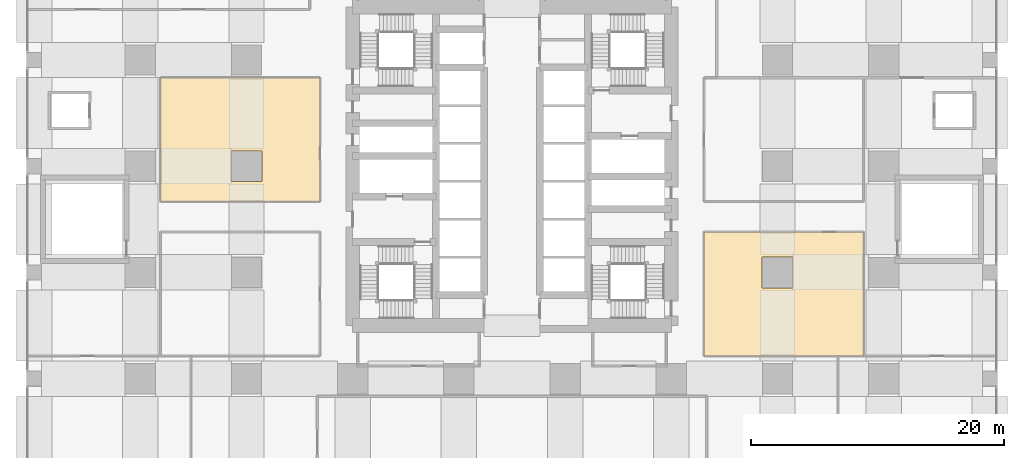
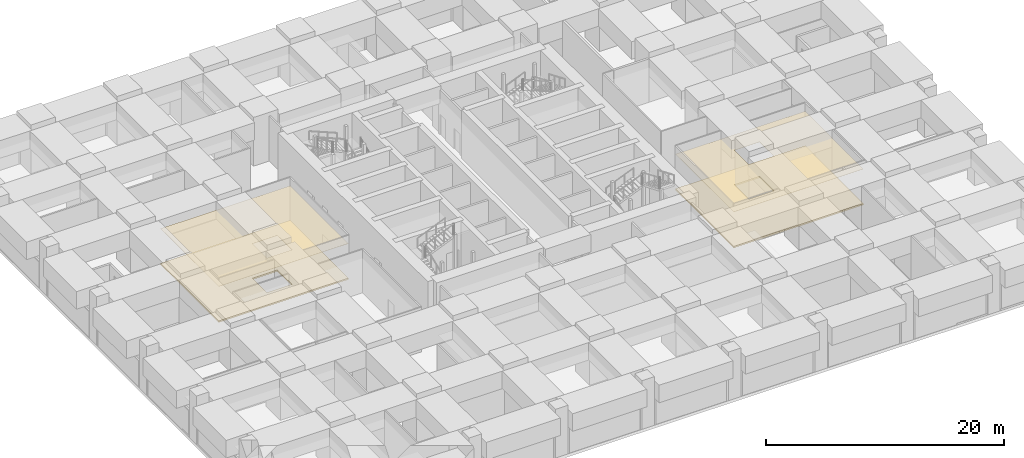
# One storey, part 48 of 52: 4 coverings.
"""IFC4 building model written with IfcOpenShell, lengths in metres."""

from ifc_helpers import new_model, si_unit, direction, frame, origin, place, context, subcontext, project, spatial, polyline, outline, extrude, material, layer, layer_set, type_object, element, save


model = new_model("IFC4")

# Units and contexts
model_context = context("Model", 3, precision=1e-05, world=origin(), true_north=direction((0.0, 1.0)))
body_context = subcontext(model_context, "Body", "Model", "MODEL_VIEW")
ifc_project = project(units=[si_unit("LENGTHUNIT", "METRE"), si_unit("AREAUNIT", "SQUARE_METRE"), si_unit("VOLUMEUNIT", "CUBIC_METRE"), si_unit("PLANEANGLEUNIT", "RADIAN"), si_unit("MASSUNIT", "GRAM", prefix="KILO")], contexts=[model_context])

# Site, building, storey
site_placement = place(None, origin())
site = spatial("IfcSite", under=ifc_project, at=site_placement, CompositionType="ELEMENT")
building_placement = place(site_placement, origin())
building = spatial("IfcBuilding", under=site, at=building_placement, Name="Rekha Terrace Tower", CompositionType="ELEMENT")
storey_placement = place(building_placement, frame((0.0, 0.0, 20.39990234375)))
storey = spatial("IfcBuildingStorey", under=building, at=storey_placement, Name="L04", CompositionType="ELEMENT", Elevation=20.39990234375)

# Coverings
ifc_material_1 = material(Name="Mineral fibre tile in exposed grid", Category="finish")
ifc_layer_1 = layer(ifc_material_1, 0.02001953125)
ifc_layer_set_1 = layer_set([ifc_layer_1], Name="Mineral fibre tile in exposed grid")
covering_type_1 = type_object("IfcCoveringType", Name="CL1 600x1200 office grid ceiling", PredefinedType="CEILING", material=ifc_layer_set_1)
covering_1_placement = place(storey_placement, frame((0.0, 0.0, 3.68017578125)))
element("IfcCovering", 1, at=covering_1_placement, inside=storey, type_object=covering_type_1, Name="Ceiling L04-08", PredefinedType="CEILING", context=body_context, shape_type="SweptSolid", body=[
    extrude(outline(polyline([(22.60009765625, 30.800048828125), (22.60009765625, 40.60009765625), (10.0, 40.60009765625), (10.0, 30.800048828125), (22.60009765625, 30.800048828125)]), holes=[polyline([(15.5849609375, 32.385009765625), (15.5849609375, 34.81494140625), (18.014892578125, 34.81494140625), (18.014892578125, 32.385009765625), (15.5849609375, 32.385009765625)])]), origin(), (0.0, 0.0, 1.0), 0.02001953125),
])
covering_2_placement = place(storey_placement, frame((0.0, 0.0, 3.68017578125)))
element("IfcCovering", 2, at=covering_2_placement, inside=storey, type_object=covering_type_1, Name="Ceiling L04-09", PredefinedType="CEILING", context=body_context, shape_type="SweptSolid", body=[
    extrude(outline(polyline([(65.60009765625, 28.39990234375), (53.0, 28.39990234375), (53.0, 18.60009765625), (65.60009765625, 18.60009765625), (65.60009765625, 28.39990234375)]), holes=[polyline([(60.014892578125, 23.985107421875), (57.5849609375, 23.985107421875), (57.5849609375, 26.4150390625), (60.014892578125, 26.4150390625), (60.014892578125, 23.985107421875)])]), origin(), (0.0, 0.0, 1.0), 0.02001953125),
])
ifc_material_2 = material(Name="Calcium sulphate panels on steel pedestals", Category="steel")
ifc_layer_2 = layer(ifc_material_2, 0.14990234375)
ifc_layer_set_2 = layer_set([ifc_layer_2], Name="Calcium sulphate panels on steel pedestals")
covering_type_2 = type_object("IfcCoveringType", Name="RF1 150 raised access floor", PredefinedType="FLOORING", material=ifc_layer_set_2)
covering_3_placement = place(storey_placement, origin())
element("IfcCovering", 3, at=covering_3_placement, inside=storey, type_object=covering_type_2, Name="Raised floor L04-08", PredefinedType="FLOORING", context=body_context, shape_type="SweptSolid", body=[
    extrude(outline(polyline([(22.60009765625, 30.800048828125), (22.60009765625, 40.60009765625), (10.0, 40.60009765625), (10.0, 30.800048828125), (22.60009765625, 30.800048828125)]), holes=[polyline([(15.5849609375, 32.385009765625), (15.5849609375, 34.81494140625), (18.014892578125, 34.81494140625), (18.014892578125, 32.385009765625), (15.5849609375, 32.385009765625)])]), origin(), (0.0, 0.0, 1.0), 0.150146484375),
])
covering_4_placement = place(storey_placement, origin())
element("IfcCovering", 4, at=covering_4_placement, inside=storey, type_object=covering_type_2, Name="Raised floor L04-09", PredefinedType="FLOORING", context=body_context, shape_type="SweptSolid", body=[
    extrude(outline(polyline([(65.60009765625, 28.39990234375), (53.0, 28.39990234375), (53.0, 18.60009765625), (65.60009765625, 18.60009765625), (65.60009765625, 28.39990234375)]), holes=[polyline([(60.014892578125, 23.985107421875), (57.5849609375, 23.985107421875), (57.5849609375, 26.4150390625), (60.014892578125, 26.4150390625), (60.014892578125, 23.985107421875)])]), origin(), (0.0, 0.0, 1.0), 0.150146484375),
])

save(model, "model.ifc")
